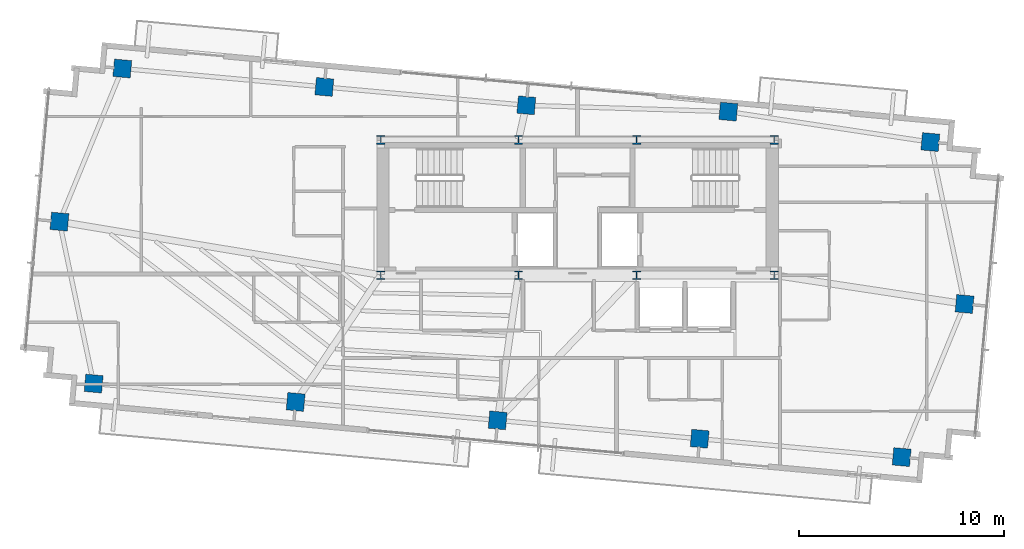
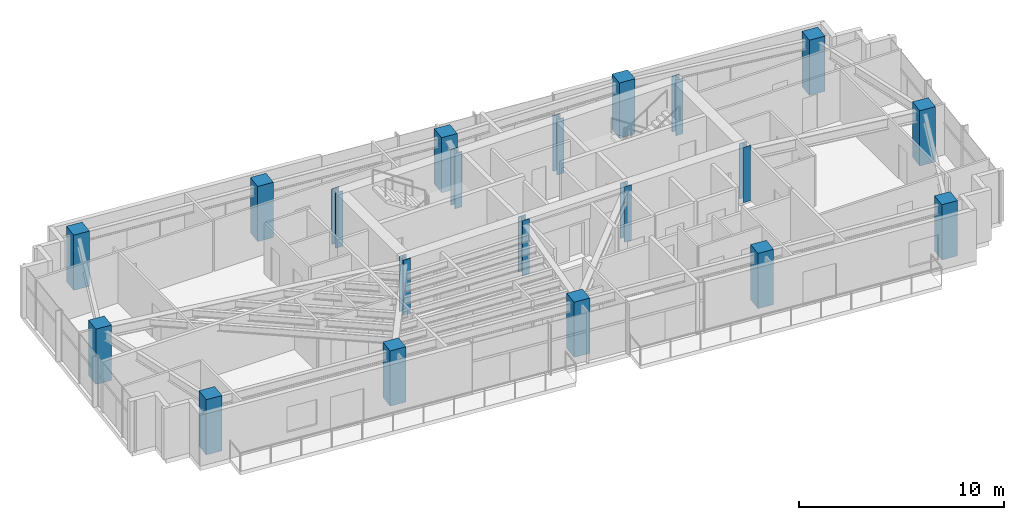
# One storey, part 1 of 22: 20 columns.
"""IFC4 building model written with IfcOpenShell, lengths in metres."""

import ifcopenshell
import ifcopenshell.guid

model = None  # the IFC model being written
_history = None  # IfcOwnerHistory: only IFC2X3 demands one
_inside = {}  # id of a spatial element -> (the spatial element, [elements in it])
_under = {}  # id of a project, library or spatial element -> (it, [spatial elements below it])
_declared = {}  # id of a project -> (the project, [libraries it declares])
_typed = {}  # id of a type object -> (the type object, [elements of that type])
_made_of = {}  # id of a material, layer set ... -> (it, [elements and type objects made of it])


def new_model(schema):
    """Start an empty IFC model of exactly this schema.

    Asked for "IFC4X3", IfcOpenShell would pick the latest addendum, in which some entities
    have other attributes; the version numbers below select the first issue.
    IFC2X3 requires an IfcOwnerHistory on every rooted entity: one is made here for all.
    """
    global model, _history
    if schema == "IFC4X3":
        model = ifcopenshell.file(schema_version=(4, 3, 0, 0))
    else:
        model = ifcopenshell.file(schema=schema)
    _inside.clear()
    _under.clear()
    _declared.clear()
    _typed.clear()
    _made_of.clear()
    _history = None
    if model.schema == "IFC2X3":
        org = make("IfcOrganization", Name="unknown")
        user = make(
            "IfcPersonAndOrganization",
            ThePerson=make("IfcPerson", FamilyName="unknown"),
            TheOrganization=org,
        )
        app = make(
            "IfcApplication",
            ApplicationDeveloper=org,
            Version="unknown",
            ApplicationFullName="unknown",
            ApplicationIdentifier="unknown",
        )
        _history = make(
            "IfcOwnerHistory",
            OwningUser=user,
            OwningApplication=app,
            ChangeAction="ADDED",
            CreationDate=0,
        )
    return model


def make(cls, **values):
    """One entity of the class cls with the attributes given. An attribute that is None is left unset."""
    return model.create_entity(
        cls, **{name: value for name, value in values.items() if value is not None}
    )


def rooted(cls, **values):
    """An entity with a GlobalId (a new one), such as an element, a storey or a relation."""
    return make(cls, GlobalId=ifcopenshell.guid.new(), OwnerHistory=_history, **values)


def si_unit(unit_type, name, prefix=None):
    """IfcSIUnit, for example si_unit("LENGTHUNIT", "METRE", prefix="MILLI")."""
    return make("IfcSIUnit", UnitType=unit_type, Prefix=prefix, Name=name)


def assignment(units):
    """IfcUnitAssignment: the units of a project."""
    return None if units is None else make("IfcUnitAssignment", Units=units)


def point(xyz):
    """IfcCartesianPoint."""
    return None if xyz is None else make("IfcCartesianPoint", Coordinates=xyz)


def direction(xyz):
    """IfcDirection."""
    return None if xyz is None else make("IfcDirection", DirectionRatios=xyz)


def frame(location, z_axis=None, x_axis=None):
    """IfcAxis2Placement3D, a coordinate frame: its origin and axes. An axis left out is left unset."""
    return make(
        "IfcAxis2Placement3D",
        Location=point(location),
        Axis=direction(z_axis),
        RefDirection=direction(x_axis),
    )


def frame_2d(location, x_axis=None):
    """IfcAxis2Placement2D, a coordinate frame in the plane: its origin and x axis."""
    return make(
        "IfcAxis2Placement2D", Location=point(location), RefDirection=direction(x_axis)
    )


def origin():
    """The frame at (0, 0, 0) with its axes left unset."""
    return frame((0.0, 0.0, 0.0))


def origin_2d():
    """The frame at (0, 0) in the plane with its x axis left unset."""
    return frame_2d((0.0, 0.0))


def place(relative_to, where):
    """IfcLocalPlacement: puts the frame where relative to a parent placement (None: the world)."""
    return make(
        "IfcLocalPlacement", PlacementRelTo=relative_to, RelativePlacement=where
    )


def context(
    kind, dimensions, precision=None, world=None, true_north=None, identifier=None
):
    """IfcGeometricRepresentationContext, for example the 3D "Model" context."""
    return make(
        "IfcGeometricRepresentationContext",
        ContextIdentifier=identifier,
        ContextType=kind,
        CoordinateSpaceDimension=dimensions,
        Precision=precision,
        WorldCoordinateSystem=world,
        TrueNorth=true_north,
    )


def subcontext(parent, identifier, kind, view, scale=None):
    """IfcGeometricRepresentationSubContext, for example "Body" below "Model"."""
    return make(
        "IfcGeometricRepresentationSubContext",
        ContextIdentifier=identifier,
        ContextType=kind,
        ParentContext=parent,
        TargetScale=scale,
        TargetView=view,
    )


def project(units=None, contexts=None):
    """IfcProject with its units and contexts."""
    return rooted(
        "IfcProject",
        Name="project",
        RepresentationContexts=contexts,
        UnitsInContext=assignment(units),
    )


def spatial(cls, under=None, at=None, **own):
    """A site, building, storey or space (cls), placed at a placement, below another one or the project."""
    s = rooted(cls, ObjectPlacement=at, **own)
    if under is not None:
        _under.setdefault(under.id(), (under, []))[1].append(s)
    return s


def profile(cls, at=None, kind="AREA", **sizes):
    """A parametric profile (cls). Its sizes go by their IFC names, for example OverallWidth=200.0."""
    return make(cls, ProfileType=kind, Position=at, **sizes)


def rectangle(**sizes):
    """IfcRectangleProfileDef."""
    return profile("IfcRectangleProfileDef", **sizes)


def i_section(**sizes):
    """IfcIShapeProfileDef."""
    return profile("IfcIShapeProfileDef", **sizes)


def extrude(swept, where, along, depth):
    """IfcExtrudedAreaSolid: the profile swept, set in the frame where, extruded along a direction by depth."""
    return make(
        "IfcExtrudedAreaSolid",
        SweptArea=swept,
        Position=where,
        ExtrudedDirection=direction(along),
        Depth=depth,
    )


def shape(context_of_items, identifier, shape_type, items):
    """IfcShapeRepresentation: the items that make up one representation, for example the "Body"."""
    return make(
        "IfcShapeRepresentation",
        ContextOfItems=context_of_items,
        RepresentationIdentifier=identifier,
        RepresentationType=shape_type,
        Items=items,
    )


def source(mapping_origin, context_of_items, identifier, shape_type, items):
    """IfcRepresentationMap: a shape defined once, which mapped items show again and again."""
    return make(
        "IfcRepresentationMap",
        MappingOrigin=mapping_origin,
        MappedRepresentation=shape(context_of_items, identifier, shape_type, items),
    )


def transform(
    local_origin,
    x_axis=None,
    y_axis=None,
    z_axis=None,
    scale=None,
    scale2=None,
    scale3=None,
    uniform=True,
):
    """IfcCartesianTransformationOperator3D, or its non-uniform kind. x_axis, y_axis, z_axis: its Axis1, 2, 3."""
    if uniform:
        return make(
            "IfcCartesianTransformationOperator3D",
            Axis1=direction(x_axis),
            Axis2=direction(y_axis),
            LocalOrigin=point(local_origin),
            Scale=scale,
            Axis3=direction(z_axis),
        )
    return make(
        "IfcCartesianTransformationOperator3DnonUniform",
        Axis1=direction(x_axis),
        Axis2=direction(y_axis),
        LocalOrigin=point(local_origin),
        Scale=scale,
        Axis3=direction(z_axis),
        Scale2=scale2,
        Scale3=scale3,
    )


def mapped(mapping_source, mapping_target):
    """IfcMappedItem: shows the shape of a source again, moved by a transform."""
    return make(
        "IfcMappedItem", MappingSource=mapping_source, MappingTarget=mapping_target
    )


def material(Name=None, Category=None):
    """IfcMaterial."""
    return make("IfcMaterial", Name=Name, Category=Category)


def material_profile(
    of_material, cross_section, Name=None, Category=None, Priority=None
):
    """IfcMaterialProfile: a cross section and its material."""
    return make(
        "IfcMaterialProfile",
        Name=Name,
        Material=of_material,
        Profile=cross_section,
        Priority=Priority,
        Category=Category,
    )


def profile_set(profiles, Name=None, composite=None):
    """IfcMaterialProfileSet."""
    return make(
        "IfcMaterialProfileSet",
        Name=Name,
        MaterialProfiles=profiles,
        CompositeProfile=composite,
    )


def made_of(thing, what):
    """Note that an element or type object is made of a material, layer set ...; save() writes the relation."""
    if what is not None:
        _made_of.setdefault(what.id(), (what, []))[1].append(thing)
    return thing


def type_object(cls, material=None, **own):
    """A type object (cls), such as IfcWallType, which elements share."""
    return made_of(rooted(cls, **own), material)


def type_shapes(of_type, sources):
    """Give a type object the sources (RepresentationMaps) that its elements show as mapped items."""
    of_type.RepresentationMaps = sources


def element(
    cls,
    number,
    at=None,
    inside=None,
    cuts=None,
    type_object=None,
    material=None,
    context=None,
    identifier="Body",
    shape_type=None,
    held_by="IfcProductDefinitionShape",
    body=None,
    shapes=None,
    **own,
):
    """One element of the class cls, such as IfcWall. Its Tag is "e" and its number.

    at: its placement. inside: the storey or other place that contains it. cuts: it is an
    opening in that element (IfcRelVoidsElement). A single representation is given by context,
    identifier, shape_type and body (its items); several are given by shapes. held_by: the class
    of the entity that holds the representations. save() writes the other relations.
    """
    e = rooted(cls, Tag="e%d" % number, ObjectPlacement=at, **own)
    if body is not None:
        shapes = [shape(context, identifier, shape_type, body)]
    if shapes is not None:
        e.Representation = make(held_by, Representations=shapes)
    if inside is not None:
        _inside.setdefault(inside.id(), (inside, []))[1].append(e)
    if cuts is not None:
        rooted(
            "IfcRelVoidsElement", RelatingBuildingElement=cuts, RelatedOpeningElement=e
        )
    if type_object is not None:
        _typed.setdefault(type_object.id(), (type_object, []))[1].append(e)
    return made_of(e, material)


def aggregate(whole, parts):
    """IfcRelAggregates: a whole, such as a stair, and the parts it consists of."""
    return rooted("IfcRelAggregates", RelatingObject=whole, RelatedObjects=parts)


def save(model, path):
    """Write the relations noted so far, then the file.

    IfcRelAggregates (storeys below a building ...), IfcRelContainedInSpatialStructure (elements
    in a storey), IfcRelDefinesByType, IfcRelAssociatesMaterial and IfcRelDeclares: one each for
    every whole, place, type object, material and project.
    """
    for whole, parts in _under.values():
        aggregate(whole, parts)
    for where, things in _inside.values():
        rooted(
            "IfcRelContainedInSpatialStructure",
            RelatedElements=things,
            RelatingStructure=where,
        )
    for kind, things in _typed.values():
        rooted("IfcRelDefinesByType", RelatedObjects=things, RelatingType=kind)
    for what, things in _made_of.values():
        rooted("IfcRelAssociatesMaterial", RelatedObjects=things, RelatingMaterial=what)
    for by, libraries in _declared.values():
        rooted("IfcRelDeclares", RelatingContext=by, RelatedDefinitions=libraries)
    model.write(path)


model = new_model("IFC4")

# Units and contexts
model_context = context("Model", 3, precision=1e-05, world=origin(), true_north=direction((0.0, 1.0)))
body_context = subcontext(model_context, "Body", "Model", "MODEL_VIEW")
ifc_project = project(units=[si_unit("LENGTHUNIT", "METRE"), si_unit("AREAUNIT", "SQUARE_METRE"), si_unit("VOLUMEUNIT", "CUBIC_METRE"), si_unit("PLANEANGLEUNIT", "RADIAN"), si_unit("MASSUNIT", "GRAM", prefix="KILO")], contexts=[model_context])

# Site, building, storey
site_placement = place(None, origin())
site = spatial("IfcSite", under=ifc_project, at=site_placement, CompositionType="ELEMENT")
building_placement = place(site_placement, origin())
building = spatial("IfcBuilding", under=site, at=building_placement, Name="Astriad Promenade Condominiums", CompositionType="ELEMENT")
storey_placement = place(building_placement, frame((0.0, 0.0, 226.5)))
storey = spatial("IfcBuildingStorey", under=building, at=storey_placement, Name="L65", CompositionType="ELEMENT", Elevation=226.5)

# Columns
ifc_material_1 = material(Name="Steel ASTM A992 Grade 50", Category="steel")
ifc_material_profile_1 = material_profile(ifc_material_1, i_section(OverallWidth=0.4091796875, OverallDepth=0.42529296875, WebThickness=0.03271484375, FlangeThickness=0.052490234375, FilletRadius=0.017822265625, at=origin_2d()), Name="W14X283")
ifc_profile_set_1 = profile_set([ifc_material_profile_1], Name="Steel ASTM A992 Grade 50")
column_type_1 = type_object("IfcColumnType", Name="STEEL CORE PILASTER W14X283", PredefinedType="PILASTER", material=ifc_profile_set_1)
shared_shape_1 = source(origin(), body_context, "Body", "SweptSolid", [
    extrude(i_section(OverallWidth=0.4091796875, OverallDepth=0.42529296875, WebThickness=0.03271484375, FlangeThickness=0.052490234375, FilletRadius=0.017822265625, at=origin_2d()), origin(), (0.0, 0.0, 1.0), 3.296142578125),
])
type_shapes(column_type_1, [shared_shape_1])
for number, where, z_axis, x_axis, name in (
    (1, (26.39990234375, 17.39990234375, 0.001953125), (0.0, 0.0, 1.0), (1.0, 0.0, 0.0), "Core Pilaster Column CP1 (L65)"),
    (2, (33.1201171875, 17.39990234375, 0.001953125), (0.0, 0.0, 1.0), (1.0, 0.0, 0.0), "Core Pilaster Column CP2 (L65)"),
    (3, (38.8798828125, 17.39990234375, 0.001953125), (0.0, 0.0, 1.0), (1.0, 0.0, 0.0), "Core Pilaster Column CP3 (L65)"),
    (4, (45.60009765625, 17.39990234375, 0.001953125), (0.0, 0.0, 1.0), (1.0, 0.0, 0.0), "Core Pilaster Column CP4 (L65)"),
    (5, (26.39990234375, 24.0, 0.001953125), (0.0, 0.0, 1.0), (1.0, 0.0, 0.0), "Core Pilaster Column CP5 (L65)"),
    (6, (33.1201171875, 24.0, 0.001953125), (0.0, 0.0, 1.0), (1.0, 0.0, 0.0), "Core Pilaster Column CP6 (L65)"),
    (7, (38.8798828125, 24.0, 0.001953125), (0.0, 0.0, 1.0), (1.0, 0.0, 0.0), "Core Pilaster Column CP7 (L65)"),
    (8, (45.60009765625, 24.0, 0.001953125), (0.0, 0.0, 1.0), (1.0, 0.0, 0.0), "Core Pilaster Column CP8 (L65)"),
):
    element("IfcColumn", number, at=place(storey_placement, frame(where, z_axis=z_axis, x_axis=x_axis)), inside=storey, type_object=column_type_1, Name=name, PredefinedType="PILASTER", context=body_context, shape_type="MappedRepresentation", body=[
        mapped(shared_shape_1, transform((0.0, 0.0, 0.0), scale=1.0)),
    ])
ifc_material_2 = material(Name="Concrete C50/60", Category="concrete")
ifc_material_profile_2 = material_profile(ifc_material_2, rectangle(XDim=0.85009765625, YDim=0.85009765625, at=origin_2d()), Name="RC-COL-850X850")
ifc_profile_set_2 = profile_set([ifc_material_profile_2], Name="Concrete C50/60")
column_type_2 = type_object("IfcColumnType", Name="CONCRETE TOWER COLUMN 850X850", PredefinedType="COLUMN", material=ifc_profile_set_2)
shared_shape_2 = source(origin(), body_context, "Body", "SweptSolid", [
    extrude(rectangle(XDim=0.85009765625, YDim=0.85009765625, at=origin_2d()), origin(), (0.0, 0.0, 1.0), 3.296142578125),
])
type_shapes(column_type_2, [shared_shape_2])
for number, where, z_axis, x_axis, name in (
    (9, (12.3818359375, 12.106201171875, 0.001953125), (0.0, 0.0, 1.0), (0.995884398616, -0.090632580198, 0.0), "Perimeter Column PC01 (L65)"),
    (10, (22.2412109375, 11.208984375, 0.001953125), (0.0, 0.0, 1.0), (0.995884398616, -0.090632580198, 0.0), "Perimeter Column PC02 (L65)"),
    (11, (32.100341796875, 10.311767578125, 0.001953125), (0.0, 0.0, 1.0), (0.995884398616, -0.090632580198, 0.0), "Perimeter Column PC03 (L65)"),
    (12, (41.959716796875, 9.41455078125, 0.001953125), (0.0, 0.0, 1.0), (0.995884398616, -0.090632580198, 0.0), "Perimeter Column PC04 (L65)"),
    (13, (51.81884765625, 8.51708984375, 0.001953125), (0.0, 0.0, 1.0), (0.995884398616, -0.090632580198, 0.0), "Perimeter Column PC05 (L65)"),
    (14, (13.78125, 27.48291015625, 0.001953125), (0.0, 0.0, 1.0), (0.995884398616, -0.090632580198, 0.0), "Perimeter Column PC06 (L65)"),
    (15, (23.640380859375, 26.58544921875, 0.001953125), (0.0, 0.0, 1.0), (0.995884398616, -0.090632580198, 0.0), "Perimeter Column PC07 (L65)"),
    (16, (33.499755859375, 25.688232421875, 0.001953125), (0.0, 0.0, 1.0), (0.995884398616, -0.090632580198, 0.0), "Perimeter Column PC08 (L65)"),
    (17, (43.35888671875, 25.3798828125, 0.001953125), (0.0, 0.0, 1.0), (0.995884398616, -0.090632580198, 0.0), "Perimeter Column PC09 (L65)"),
    (18, (53.21826171875, 23.893798828125, 0.001953125), (0.0, 0.0, 1.0), (0.995884398616, -0.090632580198, 0.0), "Perimeter Column PC10 (L65)"),
    (19, (10.711181640625, 20.01025390625, 0.001953125), (0.0, 0.0, 1.0), (0.995884398616, -0.090632580198, 0.0), "Perimeter Column PC11 (L65)"),
    (20, (54.888671875, 15.98974609375, 0.001953125), (0.0, 0.0, 1.0), (0.995884398616, -0.090632580198, 0.0), "Perimeter Column PC12 (L65)"),
):
    element("IfcColumn", number, at=place(storey_placement, frame(where, z_axis=z_axis, x_axis=x_axis)), inside=storey, type_object=column_type_2, Name=name, PredefinedType="COLUMN", context=body_context, shape_type="MappedRepresentation", body=[
        mapped(shared_shape_2, transform((0.0, 0.0, 0.0), scale=1.0)),
    ])

save(model, "model.ifc")
